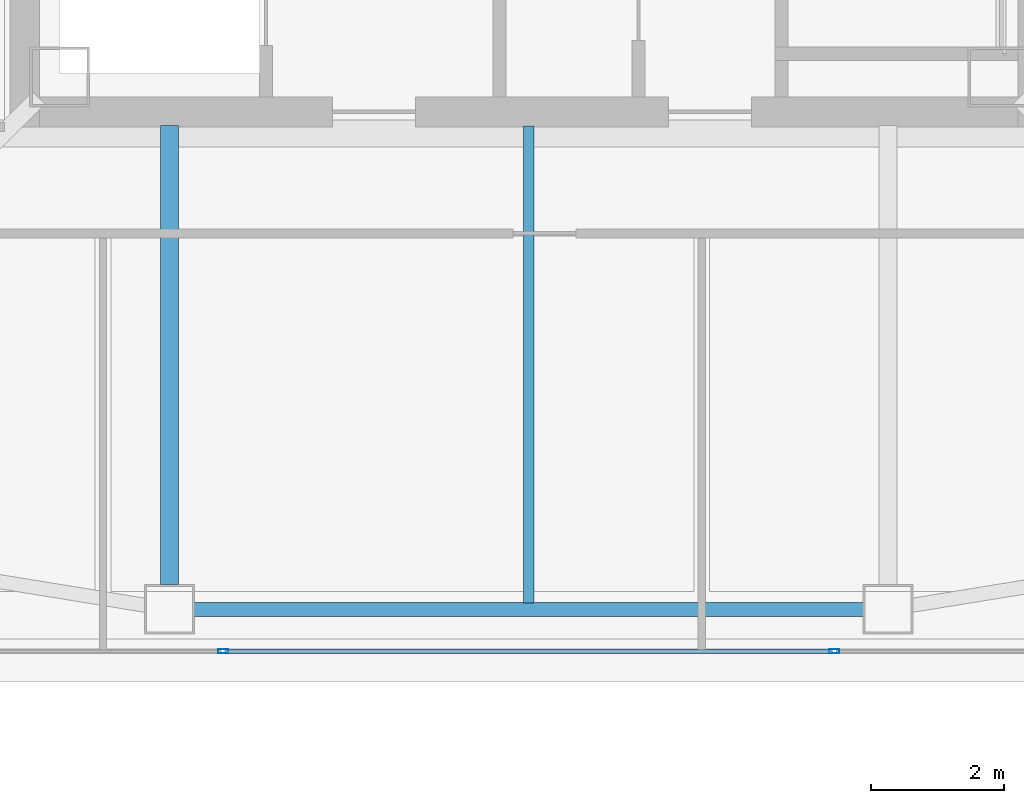
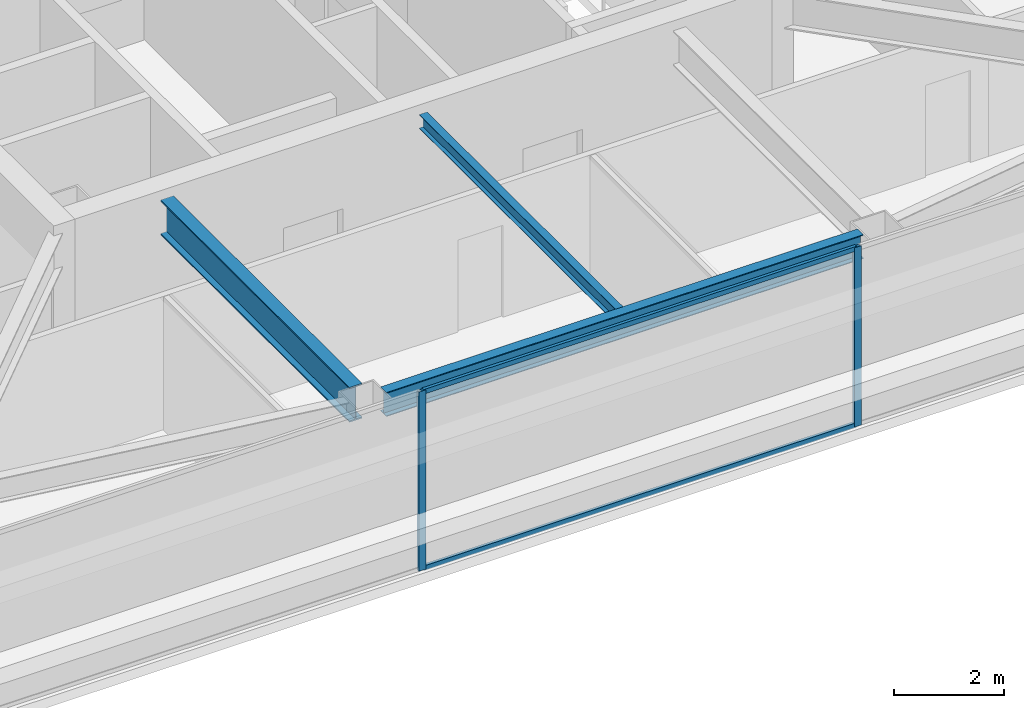
# One storey, part 9 of 51: 4 members, 3 beams, 1 element without a shape of its own.
"""IFC4 building model written with IfcOpenShell, lengths in metres."""

from ifc_helpers import new_model, si_unit, direction, frame, origin, origin_2d, place, context, subcontext, project, spatial, hollow_rectangle, i_section, extrude, material, material_profile, profile_set, type_object, element, aggregate, save


model = new_model("IFC4")

# Units and contexts
model_context = context("Model", 3, precision=1e-05, world=origin(), true_north=direction((0.0, 1.0)))
body_context = subcontext(model_context, "Body", "Model", "MODEL_VIEW")
ifc_project = project(units=[si_unit("LENGTHUNIT", "METRE"), si_unit("AREAUNIT", "SQUARE_METRE"), si_unit("VOLUMEUNIT", "CUBIC_METRE"), si_unit("PLANEANGLEUNIT", "RADIAN"), si_unit("MASSUNIT", "GRAM", prefix="KILO")], contexts=[model_context])

# Site, building, storey
site_placement = place(None, origin())
site = spatial("IfcSite", under=ifc_project, at=site_placement, CompositionType="ELEMENT")
building_placement = place(site_placement, origin())
building = spatial("IfcBuilding", under=site, at=building_placement, Name="Tashvorn Skyway Center", CompositionType="ELEMENT")
storey_placement = place(building_placement, frame((0.0, 0.0, 251.39990234375)))
storey = spatial("IfcBuildingStorey", under=building, at=storey_placement, Name="L68", CompositionType="ELEMENT", Elevation=251.39990234375)

# Beams
ifc_material_1 = material(Name="Steel ASTM A992 Grade 50", Category="steel")
ifc_material_profile_1 = material_profile(ifc_material_1, i_section(OverallWidth=0.26708984375, OverallDepth=0.779052734375, WebThickness=0.0166015625, FlangeThickness=0.030029296875, at=origin_2d()), Name="W30X148")
ifc_profile_set_1 = profile_set([ifc_material_profile_1], Name="Steel ASTM A992 Grade 50")
beam_type_1 = type_object("IfcBeamType", Name="BM-BEAM-W30X148", PredefinedType="BEAM", material=ifc_profile_set_1)
beam_1_placement = place(storey_placement, frame((36.60009765625, 17.320068359375, 3.390625), z_axis=(0.0, 1.0, 0.0), x_axis=(-1.0, 0.0, 0.0)))
element("IfcBeam", 1, at=beam_1_placement, inside=storey, type_object=beam_type_1, Name="Tower 1 L68 Primary Floor Girder FC-S1", PredefinedType="BEAM", context=body_context, shape_type="SweptSolid", body=[
    extrude(i_section(OverallWidth=0.26708984375, OverallDepth=0.779052734375, WebThickness=0.0166015625, FlangeThickness=0.030029296875, at=origin_2d()), origin(), (0.0, 0.0, 1.0), 6.89990234375),
])
ifc_material_profile_2 = material_profile(ifc_material_1, i_section(OverallWidth=0.1650390625, OverallDepth=0.31005859375, WebThickness=0.005859375, FlangeThickness=0.009765625, at=origin_2d()), Name="W12X26")
ifc_profile_set_2 = profile_set([ifc_material_profile_2], Name="Steel ASTM A992 Grade 50")
beam_type_2 = type_object("IfcBeamType", Name="BM-JOIST-W12X26", PredefinedType="JOIST", material=ifc_profile_set_2)
beam_2_placement = place(storey_placement, frame((42.0, 24.2099609375, 3.625), z_axis=(0.0, -1.0, 0.0), x_axis=(1.0, 0.0, 0.0)))
element("IfcBeam", 2, at=beam_2_placement, inside=storey, type_object=beam_type_2, Name="Tower 1 L68 Secondary Composite Joist JS", PredefinedType="JOIST", context=body_context, shape_type="SweptSolid", body=[
    extrude(i_section(OverallWidth=0.1650390625, OverallDepth=0.31005859375, WebThickness=0.005859375, FlangeThickness=0.009765625, at=origin_2d()), origin(), (0.0, 0.0, 1.0), 7.162353515625),
])
ifc_material_profile_3 = material_profile(ifc_material_1, i_section(OverallWidth=0.2109375, OverallDepth=0.5390625, WebThickness=0.01171875, FlangeThickness=0.018798828125, at=origin_2d()), Name="W21X73")
ifc_profile_set_3 = profile_set([ifc_material_profile_3], Name="Steel ASTM A992 Grade 50")
beam_type_3 = type_object("IfcBeamType", Name="BM-SPANDREL-W21X73", PredefinedType="SPANDREL", material=ifc_profile_set_3)
beam_3_placement = place(storey_placement, frame((36.969970703125, 16.949951171875, 3.510498046875), z_axis=(1.0, 0.0, 0.0), x_axis=(0.0, 1.0, 0.0)))
element("IfcBeam", 3, at=beam_3_placement, inside=storey, type_object=beam_type_3, Name="Tower 1 L68 Spandrel Beam 02", PredefinedType="SPANDREL", context=body_context, shape_type="SweptSolid", body=[
    extrude(i_section(OverallWidth=0.2109375, OverallDepth=0.5390625, WebThickness=0.01171875, FlangeThickness=0.018798828125, at=origin_2d()), origin(), (0.0, 0.0, 1.0), 10.06005859375),
])

# Curtain wall, members
ifc_material_2 = material(Name="Thermally broken bronze-anodized aluminium 6063-T6", Category="aluminium")
curtain_wall_type = type_object("IfcCurtainWallType", Name="CW-CW-SKY", PredefinedType="NOTDEFINED", material=ifc_material_2)
curtain_wall_placement = place(storey_placement, origin())
curtain_wall = element("IfcCurtainWall", 4, at=curtain_wall_placement, inside=storey, type_object=curtain_wall_type, Name="Tower 1 L68 South Unitised Curtain Wall", PredefinedType="NOTDEFINED")
ifc_material_profile_4 = material_profile(ifc_material_2, hollow_rectangle(XDim=0.06494140625, YDim=0.14990234375, WallThickness=0.00390625, at=origin_2d()), Name="ALU-MULL-65x150")
ifc_profile_set_4 = profile_set([ifc_material_profile_4], Name="Thermally broken bronze-anodized aluminium 6063-T6")
member_type_1 = type_object("IfcMemberType", Name="CWM-CW-SKY", PredefinedType="MULLION", material=ifc_profile_set_4)
member_1_placement = place(storey_placement, frame((46.59326171875, 16.320068359375, 0.0), z_axis=(0.0, 0.0, 1.0), x_axis=(0.0, -1.0, 0.0)))
member_1 = element("IfcMember", 5, at=member_1_placement, type_object=member_type_1, Name="CW-SKY mullion 2", PredefinedType="MULLION", context=body_context, shape_type="SweptSolid", body=[
    extrude(hollow_rectangle(XDim=0.06494140625, YDim=0.14990234375, WallThickness=0.00390625, at=origin_2d()), origin(), (0.0, 0.0, 1.0), 4.0),
])
member_2_placement = place(storey_placement, frame((37.40673828125, 16.320068359375, 0.0), z_axis=(0.0, 0.0, 1.0), x_axis=(0.0, -1.0, 0.0)))
member_2 = element("IfcMember", 6, at=member_2_placement, type_object=member_type_1, Name="CW-SKY mullion 3", PredefinedType="MULLION", context=body_context, shape_type="SweptSolid", body=[
    extrude(hollow_rectangle(XDim=0.06494140625, YDim=0.14990234375, WallThickness=0.00390625, at=origin_2d()), origin(), (0.0, 0.0, 1.0), 4.0),
])
ifc_material_profile_5 = material_profile(ifc_material_2, hollow_rectangle(XDim=0.06494140625, YDim=0.10498046875, WallThickness=0.00390625, at=origin_2d()), Name="ALU-TRAN-65x105")
ifc_profile_set_5 = profile_set([ifc_material_profile_5], Name="Thermally broken bronze-anodized aluminium 6063-T6")
member_type_2 = type_object("IfcMemberType", Name="CWT-CW-SKY", PredefinedType="USERDEFINED", material=ifc_profile_set_5)
member_3_placement = place(storey_placement, frame((46.560791015625, 16.320068359375, 0.03271484375), z_axis=(-1.0, 0.0, 0.0), x_axis=(0.0, -1.0, 0.0)))
member_3 = element("IfcMember", 7, at=member_3_placement, type_object=member_type_2, Name="CW-SKY transom 2.1", ObjectType="TRANSOM", PredefinedType="USERDEFINED", context=body_context, shape_type="SweptSolid", body=[
    extrude(hollow_rectangle(XDim=0.06494140625, YDim=0.10498046875, WallThickness=0.00390625, at=origin_2d()), origin(), (0.0, 0.0, 1.0), 9.12158203125),
])
member_4_placement = place(storey_placement, frame((46.560791015625, 16.320068359375, 3.967529296875), z_axis=(-1.0, 0.0, 0.0), x_axis=(0.0, -1.0, 0.0)))
member_4 = element("IfcMember", 8, at=member_4_placement, type_object=member_type_2, Name="CW-SKY transom 2.2", ObjectType="TRANSOM", PredefinedType="USERDEFINED", context=body_context, shape_type="SweptSolid", body=[
    extrude(hollow_rectangle(XDim=0.06494140625, YDim=0.10498046875, WallThickness=0.00390625, at=origin_2d()), origin(), (0.0, 0.0, 1.0), 9.12158203125),
])
aggregate(curtain_wall, [member_1, member_2, member_3, member_4])

save(model, "model.ifc")
